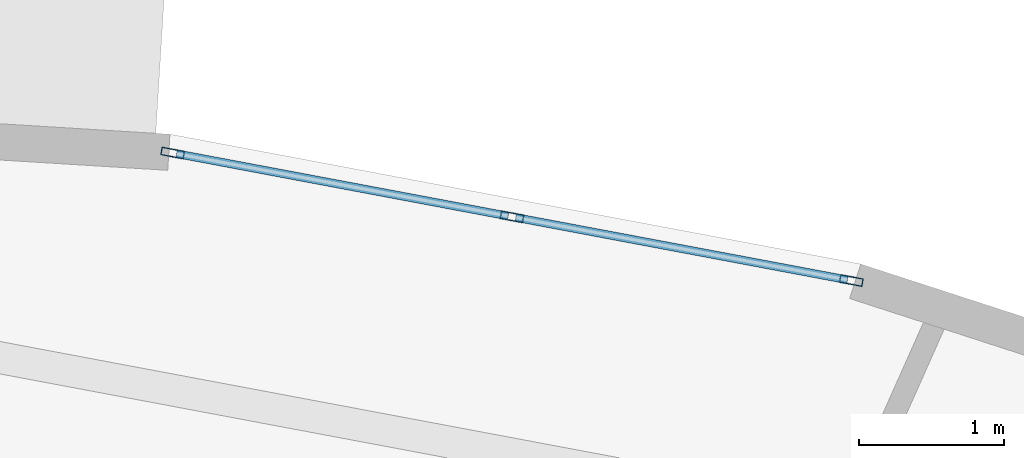
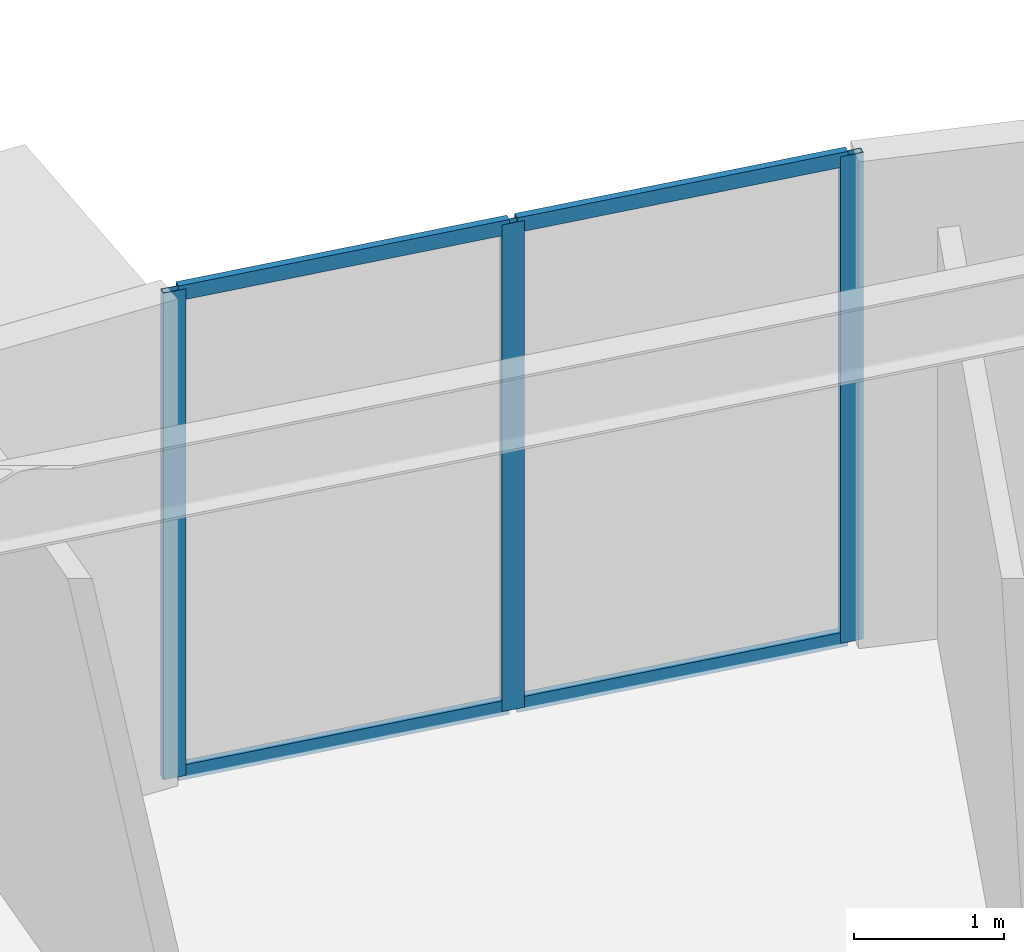
# One storey, part 11 of 32: 7 members, 1 element without a shape of its own.
"""IFC4 building model written with IfcOpenShell, lengths in metres."""

import ifcopenshell
import ifcopenshell.guid

model = None  # the IFC model being written
_history = None  # IfcOwnerHistory: only IFC2X3 demands one
_inside = {}  # id of a spatial element -> (the spatial element, [elements in it])
_under = {}  # id of a project, library or spatial element -> (it, [spatial elements below it])
_declared = {}  # id of a project -> (the project, [libraries it declares])
_typed = {}  # id of a type object -> (the type object, [elements of that type])
_made_of = {}  # id of a material, layer set ... -> (it, [elements and type objects made of it])


def new_model(schema):
    """Start an empty IFC model of exactly this schema.

    Asked for "IFC4X3", IfcOpenShell would pick the latest addendum, in which some entities
    have other attributes; the version numbers below select the first issue.
    IFC2X3 requires an IfcOwnerHistory on every rooted entity: one is made here for all.
    """
    global model, _history
    if schema == "IFC4X3":
        model = ifcopenshell.file(schema_version=(4, 3, 0, 0))
    else:
        model = ifcopenshell.file(schema=schema)
    _inside.clear()
    _under.clear()
    _declared.clear()
    _typed.clear()
    _made_of.clear()
    _history = None
    if model.schema == "IFC2X3":
        org = make("IfcOrganization", Name="unknown")
        user = make(
            "IfcPersonAndOrganization",
            ThePerson=make("IfcPerson", FamilyName="unknown"),
            TheOrganization=org,
        )
        app = make(
            "IfcApplication",
            ApplicationDeveloper=org,
            Version="unknown",
            ApplicationFullName="unknown",
            ApplicationIdentifier="unknown",
        )
        _history = make(
            "IfcOwnerHistory",
            OwningUser=user,
            OwningApplication=app,
            ChangeAction="ADDED",
            CreationDate=0,
        )
    return model


def make(cls, **values):
    """One entity of the class cls with the attributes given. An attribute that is None is left unset."""
    return model.create_entity(
        cls, **{name: value for name, value in values.items() if value is not None}
    )


def rooted(cls, **values):
    """An entity with a GlobalId (a new one), such as an element, a storey or a relation."""
    return make(cls, GlobalId=ifcopenshell.guid.new(), OwnerHistory=_history, **values)


def si_unit(unit_type, name, prefix=None):
    """IfcSIUnit, for example si_unit("LENGTHUNIT", "METRE", prefix="MILLI")."""
    return make("IfcSIUnit", UnitType=unit_type, Prefix=prefix, Name=name)


def assignment(units):
    """IfcUnitAssignment: the units of a project."""
    return None if units is None else make("IfcUnitAssignment", Units=units)


def point(xyz):
    """IfcCartesianPoint."""
    return None if xyz is None else make("IfcCartesianPoint", Coordinates=xyz)


def direction(xyz):
    """IfcDirection."""
    return None if xyz is None else make("IfcDirection", DirectionRatios=xyz)


def frame(location, z_axis=None, x_axis=None):
    """IfcAxis2Placement3D, a coordinate frame: its origin and axes. An axis left out is left unset."""
    return make(
        "IfcAxis2Placement3D",
        Location=point(location),
        Axis=direction(z_axis),
        RefDirection=direction(x_axis),
    )


def frame_2d(location, x_axis=None):
    """IfcAxis2Placement2D, a coordinate frame in the plane: its origin and x axis."""
    return make(
        "IfcAxis2Placement2D", Location=point(location), RefDirection=direction(x_axis)
    )


def origin():
    """The frame at (0, 0, 0) with its axes left unset."""
    return frame((0.0, 0.0, 0.0))


def origin_2d():
    """The frame at (0, 0) in the plane with its x axis left unset."""
    return frame_2d((0.0, 0.0))


def place(relative_to, where):
    """IfcLocalPlacement: puts the frame where relative to a parent placement (None: the world)."""
    return make(
        "IfcLocalPlacement", PlacementRelTo=relative_to, RelativePlacement=where
    )


def context(
    kind, dimensions, precision=None, world=None, true_north=None, identifier=None
):
    """IfcGeometricRepresentationContext, for example the 3D "Model" context."""
    return make(
        "IfcGeometricRepresentationContext",
        ContextIdentifier=identifier,
        ContextType=kind,
        CoordinateSpaceDimension=dimensions,
        Precision=precision,
        WorldCoordinateSystem=world,
        TrueNorth=true_north,
    )


def subcontext(parent, identifier, kind, view, scale=None):
    """IfcGeometricRepresentationSubContext, for example "Body" below "Model"."""
    return make(
        "IfcGeometricRepresentationSubContext",
        ContextIdentifier=identifier,
        ContextType=kind,
        ParentContext=parent,
        TargetScale=scale,
        TargetView=view,
    )


def project(units=None, contexts=None):
    """IfcProject with its units and contexts."""
    return rooted(
        "IfcProject",
        Name="project",
        RepresentationContexts=contexts,
        UnitsInContext=assignment(units),
    )


def spatial(cls, under=None, at=None, **own):
    """A site, building, storey or space (cls), placed at a placement, below another one or the project."""
    s = rooted(cls, ObjectPlacement=at, **own)
    if under is not None:
        _under.setdefault(under.id(), (under, []))[1].append(s)
    return s


def profile(cls, at=None, kind="AREA", **sizes):
    """A parametric profile (cls). Its sizes go by their IFC names, for example OverallWidth=200.0."""
    return make(cls, ProfileType=kind, Position=at, **sizes)


def hollow_rectangle(**sizes):
    """IfcRectangleHollowProfileDef."""
    return profile("IfcRectangleHollowProfileDef", **sizes)


def extrude(swept, where, along, depth):
    """IfcExtrudedAreaSolid: the profile swept, set in the frame where, extruded along a direction by depth."""
    return make(
        "IfcExtrudedAreaSolid",
        SweptArea=swept,
        Position=where,
        ExtrudedDirection=direction(along),
        Depth=depth,
    )


def shape(context_of_items, identifier, shape_type, items):
    """IfcShapeRepresentation: the items that make up one representation, for example the "Body"."""
    return make(
        "IfcShapeRepresentation",
        ContextOfItems=context_of_items,
        RepresentationIdentifier=identifier,
        RepresentationType=shape_type,
        Items=items,
    )


def source(mapping_origin, context_of_items, identifier, shape_type, items):
    """IfcRepresentationMap: a shape defined once, which mapped items show again and again."""
    return make(
        "IfcRepresentationMap",
        MappingOrigin=mapping_origin,
        MappedRepresentation=shape(context_of_items, identifier, shape_type, items),
    )


def transform(
    local_origin,
    x_axis=None,
    y_axis=None,
    z_axis=None,
    scale=None,
    scale2=None,
    scale3=None,
    uniform=True,
):
    """IfcCartesianTransformationOperator3D, or its non-uniform kind. x_axis, y_axis, z_axis: its Axis1, 2, 3."""
    if uniform:
        return make(
            "IfcCartesianTransformationOperator3D",
            Axis1=direction(x_axis),
            Axis2=direction(y_axis),
            LocalOrigin=point(local_origin),
            Scale=scale,
            Axis3=direction(z_axis),
        )
    return make(
        "IfcCartesianTransformationOperator3DnonUniform",
        Axis1=direction(x_axis),
        Axis2=direction(y_axis),
        LocalOrigin=point(local_origin),
        Scale=scale,
        Axis3=direction(z_axis),
        Scale2=scale2,
        Scale3=scale3,
    )


def mapped(mapping_source, mapping_target):
    """IfcMappedItem: shows the shape of a source again, moved by a transform."""
    return make(
        "IfcMappedItem", MappingSource=mapping_source, MappingTarget=mapping_target
    )


def material(Name=None, Category=None):
    """IfcMaterial."""
    return make("IfcMaterial", Name=Name, Category=Category)


def layer(
    of_material, thickness, ventilated=None, Name=None, Category=None, Priority=None
):
    """IfcMaterialLayer: one layer of a wall or slab, of a material (None: an air gap)."""
    return make(
        "IfcMaterialLayer",
        Material=of_material,
        LayerThickness=thickness,
        IsVentilated=ventilated,
        Name=Name,
        Category=Category,
        Priority=Priority,
    )


def layer_set(layers, Name=None):
    """IfcMaterialLayerSet."""
    return make("IfcMaterialLayerSet", MaterialLayers=layers, LayerSetName=Name)


def material_profile(
    of_material, cross_section, Name=None, Category=None, Priority=None
):
    """IfcMaterialProfile: a cross section and its material."""
    return make(
        "IfcMaterialProfile",
        Name=Name,
        Material=of_material,
        Profile=cross_section,
        Priority=Priority,
        Category=Category,
    )


def profile_set(profiles, Name=None, composite=None):
    """IfcMaterialProfileSet."""
    return make(
        "IfcMaterialProfileSet",
        Name=Name,
        MaterialProfiles=profiles,
        CompositeProfile=composite,
    )


def made_of(thing, what):
    """Note that an element or type object is made of a material, layer set ...; save() writes the relation."""
    if what is not None:
        _made_of.setdefault(what.id(), (what, []))[1].append(thing)
    return thing


def type_object(cls, material=None, **own):
    """A type object (cls), such as IfcWallType, which elements share."""
    return made_of(rooted(cls, **own), material)


def element(
    cls,
    number,
    at=None,
    inside=None,
    cuts=None,
    type_object=None,
    material=None,
    context=None,
    identifier="Body",
    shape_type=None,
    held_by="IfcProductDefinitionShape",
    body=None,
    shapes=None,
    **own,
):
    """One element of the class cls, such as IfcWall. Its Tag is "e" and its number.

    at: its placement. inside: the storey or other place that contains it. cuts: it is an
    opening in that element (IfcRelVoidsElement). A single representation is given by context,
    identifier, shape_type and body (its items); several are given by shapes. held_by: the class
    of the entity that holds the representations. save() writes the other relations.
    """
    e = rooted(cls, Tag="e%d" % number, ObjectPlacement=at, **own)
    if body is not None:
        shapes = [shape(context, identifier, shape_type, body)]
    if shapes is not None:
        e.Representation = make(held_by, Representations=shapes)
    if inside is not None:
        _inside.setdefault(inside.id(), (inside, []))[1].append(e)
    if cuts is not None:
        rooted(
            "IfcRelVoidsElement", RelatingBuildingElement=cuts, RelatedOpeningElement=e
        )
    if type_object is not None:
        _typed.setdefault(type_object.id(), (type_object, []))[1].append(e)
    return made_of(e, material)


def aggregate(whole, parts):
    """IfcRelAggregates: a whole, such as a stair, and the parts it consists of."""
    return rooted("IfcRelAggregates", RelatingObject=whole, RelatedObjects=parts)


def save(model, path):
    """Write the relations noted so far, then the file.

    IfcRelAggregates (storeys below a building ...), IfcRelContainedInSpatialStructure (elements
    in a storey), IfcRelDefinesByType, IfcRelAssociatesMaterial and IfcRelDeclares: one each for
    every whole, place, type object, material and project.
    """
    for whole, parts in _under.values():
        aggregate(whole, parts)
    for where, things in _inside.values():
        rooted(
            "IfcRelContainedInSpatialStructure",
            RelatedElements=things,
            RelatingStructure=where,
        )
    for kind, things in _typed.values():
        rooted("IfcRelDefinesByType", RelatedObjects=things, RelatingType=kind)
    for what, things in _made_of.values():
        rooted("IfcRelAssociatesMaterial", RelatedObjects=things, RelatingMaterial=what)
    for by, libraries in _declared.values():
        rooted("IfcRelDeclares", RelatingContext=by, RelatedDefinitions=libraries)
    model.write(path)


model = new_model("IFC4")

# Units and contexts
model_context = context("Model", 3, precision=1e-05, world=origin(), true_north=direction((0.0, 1.0)))
body_context = subcontext(model_context, "Body", "Model", "MODEL_VIEW")
ifc_project = project(units=[si_unit("LENGTHUNIT", "METRE"), si_unit("AREAUNIT", "SQUARE_METRE"), si_unit("VOLUMEUNIT", "CUBIC_METRE"), si_unit("PLANEANGLEUNIT", "RADIAN"), si_unit("MASSUNIT", "GRAM", prefix="KILO")], contexts=[model_context])

# Site, building, storey
site_placement = place(None, origin())
site = spatial("IfcSite", under=ifc_project, at=site_placement, CompositionType="ELEMENT")
building_placement = place(site_placement, origin())
building = spatial("IfcBuilding", under=site, at=building_placement, Name="Linh Dai School and Residence Tower", CompositionType="ELEMENT")
storey_placement = place(building_placement, frame((0.0, 0.0, 53.39990234375)))
storey = spatial("IfcBuildingStorey", under=building, at=storey_placement, Name="L12", CompositionType="ELEMENT", Elevation=53.39990234375)

# Curtain wall, members
ifc_material_1 = material(Name="Aluminium Anodised Curtain Wall", Category="aluminium")
ifc_layer = layer(ifc_material_1, 0.159912109375)
ifc_layer_set = layer_set([ifc_layer], Name="Aluminium Anodised Curtain Wall")
curtain_wall_type = type_object("IfcCurtainWallType", Name="CW-SYS-3", PredefinedType="USERDEFINED", material=ifc_layer_set)
curtain_wall_placement = place(storey_placement, origin())
curtain_wall = element("IfcCurtainWall", 1, at=curtain_wall_placement, inside=storey, type_object=curtain_wall_type, Name="L12 CW3 Curtain Wall 09", ObjectType="RIBBON CURTAIN WALL", PredefinedType="USERDEFINED")
ifc_material_2 = material(Name="Aluminium Alloy 6063-T6", Category="aluminium")
ifc_material_profile_1 = material_profile(ifc_material_2, hollow_rectangle(XDim=0.054931640625, YDim=0.159912109375, WallThickness=0.00390625, at=origin_2d()), Name="RHS 160x55x4")
ifc_profile_set_1 = profile_set([ifc_material_profile_1], Name="Aluminium Alloy 6063-T6")
member_type_1 = type_object("IfcMemberType", Name="CW-SYS-3-MUL", PredefinedType="MULLION", material=ifc_profile_set_1)
shared_shape_1 = source(origin(), body_context, "Body", "SweptSolid", [
    extrude(hollow_rectangle(XDim=0.054931640625, YDim=0.159912109375, WallThickness=0.00390625, at=origin_2d()), origin(), (0.0, 0.0, 1.0), 3.9501953125),
])
member_1_placement = place(storey_placement, frame((40.892333984375, 51.0, 0.0), z_axis=(0.0, 0.0, 1.0), x_axis=(0.184747948944, 0.982785935675, 0.0)))
member_1 = element("IfcMember", 2, at=member_1_placement, type_object=member_type_1, Name="CW3 mullion 1", PredefinedType="MULLION", context=body_context, shape_type="MappedRepresentation", body=[
    mapped(shared_shape_1, transform((0.0, 0.0, 0.0), x_axis=(1.0, 0.0, 0.0), y_axis=(0.0, 1.0, 0.0), z_axis=(0.0, 0.0, 1.0), scale=1.0)),
])
member_2_placement = place(storey_placement, frame((43.238037109375, 50.55908203125, 0.0), z_axis=(0.0, 0.0, 1.0), x_axis=(0.184747948944, 0.982785935675, 0.0)))
member_2 = element("IfcMember", 3, at=member_2_placement, type_object=member_type_1, Name="CW3 mullion 2", PredefinedType="MULLION", context=body_context, shape_type="MappedRepresentation", body=[
    mapped(shared_shape_1, transform((0.0, 0.0, 0.0), x_axis=(1.0, 0.0, 0.0), y_axis=(0.0, 1.0, 0.0), z_axis=(0.0, 0.0, 1.0), scale=1.0)),
])
member_3_placement = place(storey_placement, frame((45.58349609375, 50.1181640625, 0.0), z_axis=(0.0, 0.0, 1.0), x_axis=(0.184747948944, 0.982785935675, 0.0)))
member_3 = element("IfcMember", 4, at=member_3_placement, type_object=member_type_1, Name="CW3 mullion 3", PredefinedType="MULLION", context=body_context, shape_type="MappedRepresentation", body=[
    mapped(shared_shape_1, transform((0.0, 0.0, 0.0), x_axis=(1.0, 0.0, 0.0), y_axis=(0.0, 1.0, 0.0), z_axis=(0.0, 0.0, 1.0), scale=1.0)),
])
ifc_material_profile_2 = material_profile(ifc_material_2, hollow_rectangle(XDim=0.054931640625, YDim=0.1201171875, WallThickness=0.00390625, at=origin_2d()), Name="RHS 120x55x4")
ifc_profile_set_2 = profile_set([ifc_material_profile_2], Name="Aluminium Alloy 6063-T6")
member_type_2 = type_object("IfcMemberType", Name="CW-SYS-3-TRN", PredefinedType="USERDEFINED", material=ifc_profile_set_2)
shared_shape_2 = source(origin(), body_context, "Body", "SweptSolid", [
    extrude(hollow_rectangle(XDim=0.054931640625, YDim=0.1201171875, WallThickness=0.00390625, at=origin_2d()), origin(), (0.0, 0.0, 1.0), 2.331787109375),
])
member_4_placement = place(storey_placement, frame((40.91943359375, 50.9951171875, 0.027587890625), z_axis=(0.98277485102, -0.184806905183, 0.0), x_axis=(0.184806905183, 0.98277485102, 0.0)))
member_4 = element("IfcMember", 5, at=member_4_placement, type_object=member_type_2, Name="CW3 transom 1.1", ObjectType="TRANSOM", PredefinedType="USERDEFINED", context=body_context, shape_type="MappedRepresentation", body=[
    mapped(shared_shape_2, transform((0.0, 0.0, 0.0), x_axis=(1.0, 0.0, 0.0), y_axis=(0.0, 1.0, 0.0), z_axis=(0.0, 0.0, 1.0), scale=1.0)),
])
member_5_placement = place(storey_placement, frame((40.91943359375, 50.9951171875, 3.922607421875), z_axis=(0.98277485102, -0.184806905183, 0.0), x_axis=(0.184806905183, 0.98277485102, 0.0)))
member_5 = element("IfcMember", 6, at=member_5_placement, type_object=member_type_2, Name="CW3 transom 1.2", ObjectType="TRANSOM", PredefinedType="USERDEFINED", context=body_context, shape_type="MappedRepresentation", body=[
    mapped(shared_shape_2, transform((0.0, 0.0, 0.0), x_axis=(1.0, 0.0, 0.0), y_axis=(0.0, 1.0, 0.0), z_axis=(0.0, 0.0, 1.0), scale=1.0)),
])
member_6_placement = place(storey_placement, frame((43.264892578125, 50.55419921875, 0.027587890625), z_axis=(0.98277485102, -0.184806905183, 0.0), x_axis=(0.184806905183, 0.98277485102, 0.0)))
member_6 = element("IfcMember", 7, at=member_6_placement, type_object=member_type_2, Name="CW3 transom 2.1", ObjectType="TRANSOM", PredefinedType="USERDEFINED", context=body_context, shape_type="MappedRepresentation", body=[
    mapped(shared_shape_2, transform((0.0, 0.0, 0.0), x_axis=(1.0, 0.0, 0.0), y_axis=(0.0, 1.0, 0.0), z_axis=(0.0, 0.0, 1.0), scale=1.0)),
])
member_7_placement = place(storey_placement, frame((43.264892578125, 50.55419921875, 3.922607421875), z_axis=(0.98277485102, -0.184806905183, 0.0), x_axis=(0.184806905183, 0.98277485102, 0.0)))
member_7 = element("IfcMember", 8, at=member_7_placement, type_object=member_type_2, Name="CW3 transom 2.2", ObjectType="TRANSOM", PredefinedType="USERDEFINED", context=body_context, shape_type="MappedRepresentation", body=[
    mapped(shared_shape_2, transform((0.0, 0.0, 0.0), x_axis=(1.0, 0.0, 0.0), y_axis=(0.0, 1.0, 0.0), z_axis=(0.0, 0.0, 1.0), scale=1.0)),
])
aggregate(curtain_wall, [member_1, member_2, member_3, member_4, member_5, member_6, member_7])

save(model, "model.ifc")
